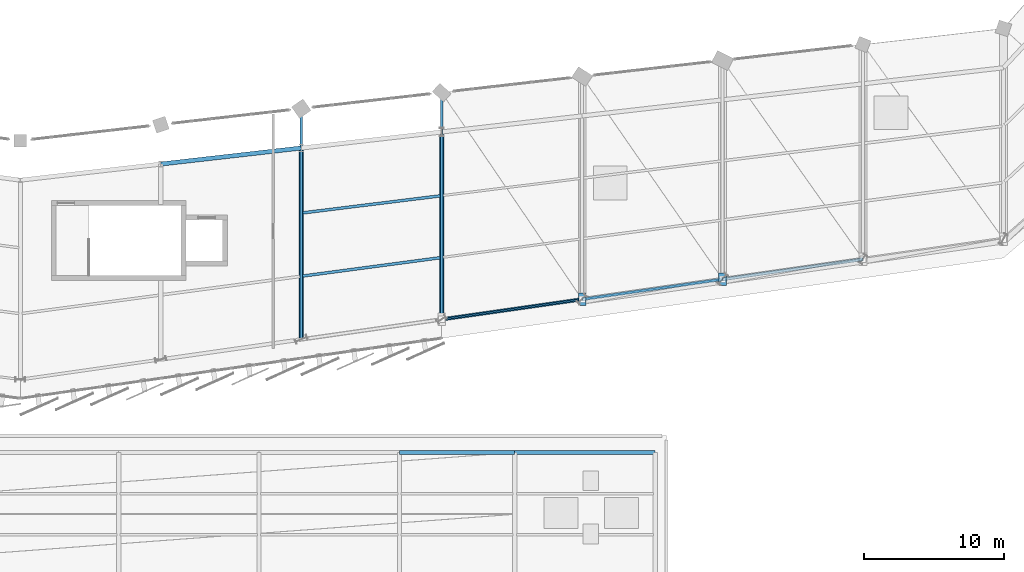
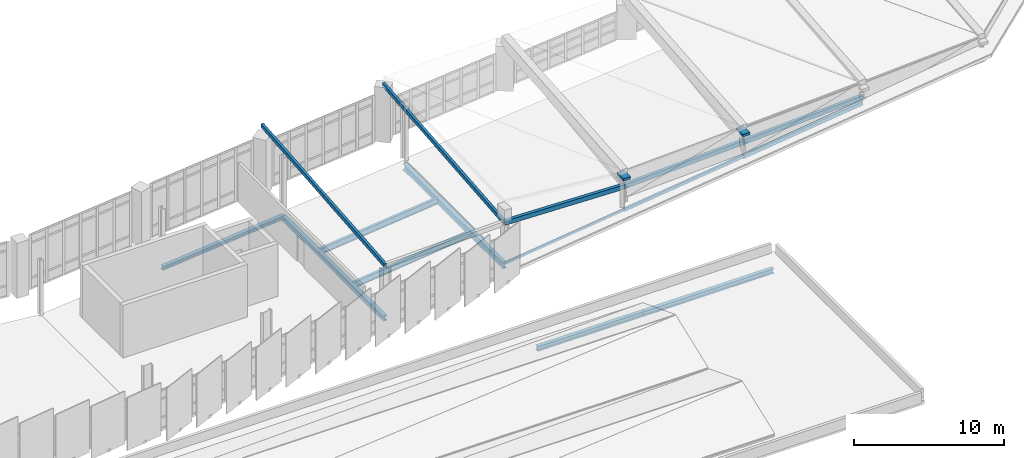
# One storey, part 23 of 67: 12 beams, 5 members.
"""IFC4 building model written with IfcOpenShell, lengths in metres."""

from ifc_helpers import new_model, si_unit, direction, frame, origin, origin_2d, place, context, subcontext, project, spatial, rectangle, hollow_rectangle, i_section, extrude, material, material_profile, profile_set, type_object, element, save


model = new_model("IFC4")

# Units and contexts
model_context = context("Model", 3, precision=1e-05, world=origin(), true_north=direction((0.0, 1.0)))
body_context = subcontext(model_context, "Body", "Model", "MODEL_VIEW")
ifc_project = project(units=[si_unit("LENGTHUNIT", "METRE"), si_unit("AREAUNIT", "SQUARE_METRE"), si_unit("VOLUMEUNIT", "CUBIC_METRE"), si_unit("PLANEANGLEUNIT", "RADIAN"), si_unit("MASSUNIT", "GRAM", prefix="KILO")], contexts=[model_context])

# Site, building, storey
site_placement = place(None, origin())
site = spatial("IfcSite", under=ifc_project, at=site_placement, CompositionType="ELEMENT")
building_placement = place(site_placement, origin())
building = spatial("IfcBuilding", under=site, at=building_placement, Name="Sohan Crest Arena", CompositionType="ELEMENT")
storey_placement = place(building_placement, frame((0.0, 0.0, 22.5)))
storey = spatial("IfcBuildingStorey", under=building, at=storey_placement, Name="L05", CompositionType="ELEMENT", Elevation=22.5)

# Beams
ifc_material_1 = material(Name="Steel S355", Category="steel")
ifc_material_profile_1 = material_profile(ifc_material_1, i_section(OverallWidth=0.199951171875, OverallDepth=0.5, WebThickness=0.01025390625, FlangeThickness=0.01611328125, at=origin_2d()), Name="IPE 500")
ifc_profile_set_1 = profile_set([ifc_material_profile_1], Name="Steel S355")
beam_type_1 = type_object("IfcBeamType", Name="STR-BM-B05", PredefinedType="JOIST", material=ifc_profile_set_1)
beam_1_placement = place(storey_placement, frame((118.10888671875, 41.865966796875, -0.5), z_axis=(0.992412936892, 0.122949431435, 0.0), x_axis=(-0.122949431435, 0.992412936892, 0.0)))
element("IfcBeam", 1, at=beam_1_placement, inside=storey, type_object=beam_type_1, Name="Structural beam J-L05-1769", PredefinedType="JOIST", context=body_context, shape_type="SweptSolid", body=[
    extrude(i_section(OverallWidth=0.199951171875, OverallDepth=0.5, WebThickness=0.01025390625, FlangeThickness=0.01611328125, at=origin_2d()), origin(), (0.0, 0.0, 1.0), 9.85693359375),
])
beam_2_placement = place(storey_placement, frame((118.10888671875, 37.3701171875, -0.5), z_axis=(0.991232437337, 0.132129690721, 0.0), x_axis=(-0.132129690721, 0.991232437337, 0.0)))
element("IfcBeam", 2, at=beam_2_placement, inside=storey, type_object=beam_type_1, Name="Structural beam J-L05-1770", PredefinedType="JOIST", context=body_context, shape_type="SweptSolid", body=[
    extrude(i_section(OverallWidth=0.199951171875, OverallDepth=0.5, WebThickness=0.01025390625, FlangeThickness=0.01611328125, at=origin_2d()), origin(), (0.0, 0.0, 1.0), 9.86865234375),
])
ifc_material_profile_2 = material_profile(ifc_material_1, i_section(OverallWidth=0.300048828125, OverallDepth=0.389892578125, WebThickness=0.010986328125, FlangeThickness=0.01904296875, at=origin_2d()), Name="HEA 400")
ifc_profile_set_2 = profile_set([ifc_material_profile_2], Name="Steel S355")
beam_type_2 = type_object("IfcBeamType", Name="STR-BM-B09", PredefinedType="BEAM", material=ifc_profile_set_2)
beam_3_placement = place(storey_placement, frame((125.0, 24.800048828125, -0.43505859375), z_axis=(1.0, 0.0, 0.0), x_axis=(0.0, 1.0, 0.0)))
element("IfcBeam", 3, at=beam_3_placement, inside=storey, type_object=beam_type_2, Name="Structural beam G-L05-2910", PredefinedType="BEAM", context=body_context, shape_type="SweptSolid", body=[
    extrude(i_section(OverallWidth=0.300048828125, OverallDepth=0.389892578125, WebThickness=0.010986328125, FlangeThickness=0.01904296875, at=origin_2d()), origin(), (0.0, 0.0, 1.0), 8.199951171875),
])
beam_4_placement = place(storey_placement, frame((133.199951171875, 24.800048828125, -0.43505859375), z_axis=(1.0, 0.0, 0.0), x_axis=(0.0, 1.0, 0.0)))
element("IfcBeam", 4, at=beam_4_placement, inside=storey, type_object=beam_type_2, Name="Structural beam G-L05-2911", PredefinedType="BEAM", context=body_context, shape_type="SweptSolid", body=[
    extrude(i_section(OverallWidth=0.300048828125, OverallDepth=0.389892578125, WebThickness=0.010986328125, FlangeThickness=0.01904296875, at=origin_2d()), origin(), (0.0, 0.0, 1.0), 10.0),
])
ifc_material_profile_3 = material_profile(ifc_material_1, i_section(OverallWidth=0.300048828125, OverallDepth=0.300048828125, WebThickness=0.010986328125, FlangeThickness=0.01904296875, at=origin_2d()), Name="HEB 300")
ifc_profile_set_3 = profile_set([ifc_material_profile_3], Name="Steel S355")
beam_type_3 = type_object("IfcBeamType", Name="STR-BM-B12", PredefinedType="BEAM", material=ifc_profile_set_3)
beam_5_placement = place(storey_placement, frame((108.0, 45.343017578125, -0.39990234375), z_axis=(0.99353032697, 0.113567114035, 0.0), x_axis=(-0.113567114035, 0.99353032697, 0.0)))
element("IfcBeam", 5, at=beam_5_placement, inside=storey, type_object=beam_type_3, Name="Structural beam G-L05-1763", PredefinedType="BEAM", context=body_context, shape_type="SweptSolid", body=[
    extrude(i_section(OverallWidth=0.300048828125, OverallDepth=0.300048828125, WebThickness=0.010986328125, FlangeThickness=0.01904296875, at=origin_2d()), origin(), (0.0, 0.0, 1.0), 10.065185546875),
])
ifc_material_profile_4 = material_profile(ifc_material_1, i_section(OverallWidth=0.300048828125, OverallDepth=0.39990234375, WebThickness=0.013427734375, FlangeThickness=0.02392578125, at=origin_2d()), Name="HEB 400")
ifc_profile_set_4 = profile_set([ifc_material_profile_4], Name="Steel S355")
beam_type_4 = type_object("IfcBeamType", Name="STR-BM-B13", PredefinedType="BEAM", material=ifc_profile_set_4)
beam_6_placement = place(storey_placement, frame((118.0, 46.486083984375, -0.449951171875), z_axis=(0.0, -1.0, 0.0), x_axis=(1.0, 0.0, 0.0)))
element("IfcBeam", 6, at=beam_6_placement, inside=storey, type_object=beam_type_4, Name="Structural beam G-L05-1766", PredefinedType="BEAM", context=body_context, shape_type="SweptSolid", body=[
    extrude(i_section(OverallWidth=0.300048828125, OverallDepth=0.39990234375, WebThickness=0.013427734375, FlangeThickness=0.02392578125, at=origin_2d()), origin(), (0.0, 0.0, 1.0), 13.629150390625),
])
ifc_material_profile_5 = material_profile(ifc_material_1, i_section(OverallWidth=0.300048828125, OverallDepth=0.5, WebThickness=0.014404296875, FlangeThickness=0.028076171875, at=origin_2d()), Name="HEB 500")
ifc_profile_set_5 = profile_set([ifc_material_profile_5], Name="Steel S355")
beam_type_5 = type_object("IfcBeamType", Name="STR-BM-B14", PredefinedType="BEAM", material=ifc_profile_set_5)
beam_7_placement = place(storey_placement, frame((128.0, 47.62890625, -0.5), z_axis=(0.0, -1.0, 0.0), x_axis=(1.0, 0.0, 0.0)))
element("IfcBeam", 7, at=beam_7_placement, inside=storey, type_object=beam_type_5, Name="Structural beam G-L05-1771", PredefinedType="BEAM", context=body_context, shape_type="SweptSolid", body=[
    extrude(i_section(OverallWidth=0.300048828125, OverallDepth=0.5, WebThickness=0.014404296875, FlangeThickness=0.028076171875, at=origin_2d()), origin(), (0.0, 0.0, 1.0), 13.343017578125),
])
ifc_material_2 = material(Name="Precast concrete C50/60", Category="concrete")
ifc_material_profile_6 = material_profile(ifc_material_2, rectangle(XDim=0.550048828125, YDim=0.89990234375, at=origin_2d()), Name="RAKER 550x900")
ifc_profile_set_6 = profile_set([ifc_material_profile_6], Name="Precast concrete C50/60")
beam_type_6 = type_object("IfcBeamType", Name="STR-BM-RK01", PredefinedType="USERDEFINED", material=ifc_profile_set_6)
for number, where, z_axis, x_axis, name in (
    (8, (138.0, 35.714111328125, 2.5400390625), (0.0, 0.0, -1.0), (1.0, 0.0, 0.0), "Perimeter cantilever nose bracket RKC-17"),
    (9, (148.0, 37.14306640625, 1.77294921875), (0.0, 0.0, -1.0), (1.0, 0.0, 0.0), "Perimeter cantilever nose bracket RKC-18"),
):
    element("IfcBeam", number, at=place(storey_placement, frame(where, z_axis=z_axis, x_axis=x_axis)), inside=storey, type_object=beam_type_6, Name=name, ObjectType="RAKER", PredefinedType="USERDEFINED", context=body_context, shape_type="SweptSolid", body=[
        extrude(rectangle(XDim=0.550048828125, YDim=0.89990234375, at=origin_2d()), origin(), (0.0, 0.0, 1.0), 0.199951171875),
    ])
ifc_material_profile_7 = material_profile(ifc_material_1, hollow_rectangle(XDim=0.10009765625, YDim=0.199951171875, WallThickness=0.008056640625, at=origin_2d()), Name="RHS 200x100x8")
ifc_profile_set_7 = profile_set([ifc_material_profile_7], Name="Steel S355")
beam_type_7 = type_object("IfcBeamType", Name="STR-BM-SP01", PredefinedType="SPANDREL", material=ifc_profile_set_7)
beam_8_placement = place(storey_placement, frame((128.0, 34.285888671875, -0.320068359375), z_axis=(0.989954326844, 0.141387519825, 0.0), x_axis=(-0.141387519825, 0.989954326844, 0.0)))
element("IfcBeam", 10, at=beam_8_placement, inside=storey, type_object=beam_type_7, Name="Structural beam SP-L05-1773", PredefinedType="SPANDREL", context=body_context, shape_type="SweptSolid", body=[
    extrude(hollow_rectangle(XDim=0.10009765625, YDim=0.199951171875, WallThickness=0.008056640625, at=origin_2d()), origin(), (0.0, 0.0, 1.0), 10.1015625),
])
ifc_material_profile_8 = material_profile(ifc_material_1, hollow_rectangle(XDim=0.14990234375, YDim=0.25, WallThickness=0.010009765625, at=origin_2d()), Name="RHS 250x150x10")
ifc_profile_set_8 = profile_set([ifc_material_profile_8], Name="Steel S355")
beam_type_8 = type_object("IfcBeamType", Name="STR-BM-SP02", PredefinedType="SPANDREL", material=ifc_profile_set_8)
beam_9_placement = place(storey_placement, frame((138.0, 35.714111328125, -0.344970703125), z_axis=(0.989944175879, 0.141458575718, 0.0), x_axis=(-0.141458575718, 0.989944175879, 0.0)))
element("IfcBeam", 11, at=beam_9_placement, inside=storey, type_object=beam_type_8, Name="Structural beam SP-L05-1778", PredefinedType="SPANDREL", context=body_context, shape_type="SweptSolid", body=[
    extrude(hollow_rectangle(XDim=0.14990234375, YDim=0.25, WallThickness=0.010009765625, at=origin_2d()), origin(), (0.0, 0.0, 1.0), 10.1015625),
])
ifc_material_profile_9 = material_profile(ifc_material_1, hollow_rectangle(XDim=0.199951171875, YDim=0.300048828125, WallThickness=0.010009765625, at=origin_2d()), Name="RHS 300x200x10")
ifc_profile_set_9 = profile_set([ifc_material_profile_9], Name="Steel S355")
beam_type_9 = type_object("IfcBeamType", Name="STR-BM-SP03", PredefinedType="SPANDREL", material=ifc_profile_set_9)
beam_10_placement = place(storey_placement, frame((148.0, 37.14306640625, -0.3701171875), z_axis=(0.989957709412, 0.141363834042, 0.0), x_axis=(-0.141363834042, 0.989957709412, 0.0)))
element("IfcBeam", 12, at=beam_10_placement, inside=storey, type_object=beam_type_9, Name="Structural beam SP-L05-1783", PredefinedType="SPANDREL", context=body_context, shape_type="SweptSolid", body=[
    extrude(hollow_rectangle(XDim=0.199951171875, YDim=0.300048828125, WallThickness=0.010009765625, at=origin_2d()), origin(), (0.0, 0.0, 1.0), 10.1015625),
])

# Members
ifc_material_profile_10 = material_profile(ifc_material_1, hollow_rectangle(XDim=0.199951171875, YDim=0.300048828125, WallThickness=0.010009765625, at=origin_2d()), Name="RHS 300x200x10")
ifc_profile_set_10 = profile_set([ifc_material_profile_10], Name="Steel S355")
member_type_1 = type_object("IfcMemberType", Name="STR-MEM-CH03", PredefinedType="CHORD", material=ifc_profile_set_10)
member_1_placement = place(storey_placement, frame((118.0, 49.285888671875, 5.31689453125), z_axis=(0.0, -0.996128058229, -0.087914114957), x_axis=(1.0, 0.0, 0.0)))
element("IfcMember", 13, at=member_1_placement, inside=storey, type_object=member_type_1, Name="Outer roof-edge radial tie chord ORT-15", PredefinedType="CHORD", context=body_context, shape_type="SweptSolid", body=[
    extrude(hollow_rectangle(XDim=0.199951171875, YDim=0.300048828125, WallThickness=0.010009765625, at=origin_2d()), origin(), (0.0, 0.0, 1.0), 16.492919921875),
])
member_2_placement = place(storey_placement, frame((128.0, 50.428955078125, 4.45703125), z_axis=(0.0, -0.995990533106, -0.089458694173), x_axis=(1.0, 0.0, 0.0)))
element("IfcMember", 14, at=member_2_placement, inside=storey, type_object=member_type_1, Name="Outer roof-edge radial tie chord ORT-16", PredefinedType="CHORD", context=body_context, shape_type="SweptSolid", body=[
    extrude(hollow_rectangle(XDim=0.199951171875, YDim=0.300048828125, WallThickness=0.010009765625, at=origin_2d()), origin(), (0.0, 0.0, 1.0), 16.2080078125),
])
ifc_material_profile_11 = material_profile(ifc_material_1, hollow_rectangle(XDim=0.25, YDim=0.35009765625, WallThickness=0.012451171875, at=origin_2d()), Name="RHS 350x250x12.5")
ifc_profile_set_11 = profile_set([ifc_material_profile_11], Name="Steel S355")
member_type_2 = type_object("IfcMemberType", Name="STR-MEM-CH04", PredefinedType="CHORD", material=ifc_profile_set_11)
member_3_placement = place(storey_placement, frame((128.0, 34.285888671875, 3.007080078125), z_axis=(0.980355941581, 0.140016656696, -0.138915671019), x_axis=(-0.141387519825, 0.989954326844, 0.0)))
element("IfcMember", 15, at=member_3_placement, inside=storey, type_object=member_type_2, Name="Outer roof-edge truss chord ORB-16", PredefinedType="CHORD", context=body_context, shape_type="SweptSolid", body=[
    extrude(hollow_rectangle(XDim=0.25, YDim=0.35009765625, WallThickness=0.012451171875, at=origin_2d()), origin(), (0.0, 0.0, 1.0), 10.200439453125),
])
member_4_placement = place(storey_placement, frame((138.0, 35.714111328125, 1.590087890625), z_axis=(0.987102194327, 0.141052469321, -0.075719606801), x_axis=(-0.141458575718, 0.989944175879, 0.0)))
element("IfcMember", 16, at=member_4_placement, inside=storey, type_object=member_type_2, Name="Outer roof-edge truss chord ORB-17", PredefinedType="CHORD", context=body_context, shape_type="SweptSolid", body=[
    extrude(hollow_rectangle(XDim=0.25, YDim=0.35009765625, WallThickness=0.012451171875, at=origin_2d()), origin(), (0.0, 0.0, 1.0), 10.130615234375),
])
member_5_placement = place(storey_placement, frame((148.0, 37.14306640625, 0.822998046875), z_axis=(0.987554945883, 0.141020724572, -0.069630338958), x_axis=(-0.141363834042, 0.989957709412, 0.0)))
element("IfcMember", 17, at=member_5_placement, inside=storey, type_object=member_type_2, Name="Outer roof-edge truss chord ORB-18", PredefinedType="CHORD", context=body_context, shape_type="SweptSolid", body=[
    extrude(hollow_rectangle(XDim=0.25, YDim=0.35009765625, WallThickness=0.012451171875, at=origin_2d()), origin(), (0.0, 0.0, 1.0), 10.1259765625),
])

save(model, "model.ifc")
